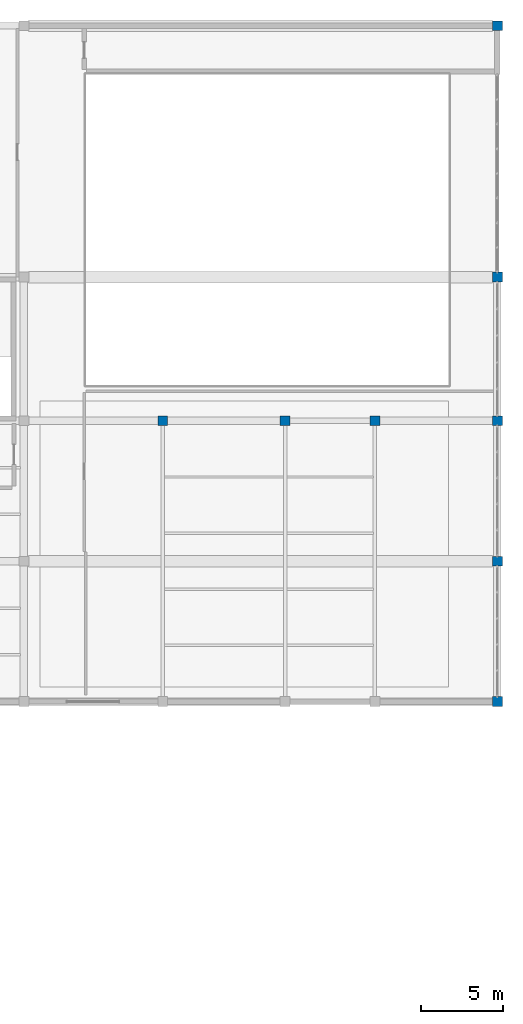
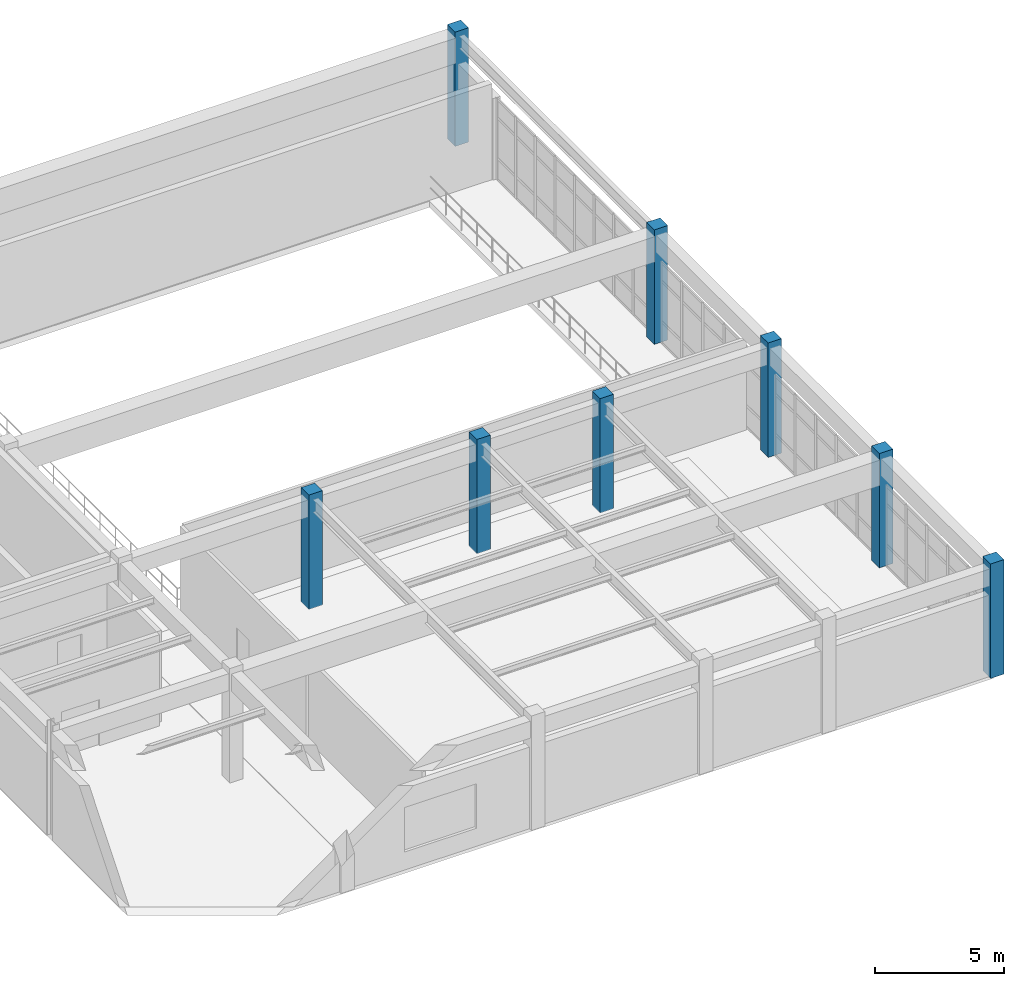
# One storey, part 7 of 38: 8 columns.
"""IFC4 building model written with IfcOpenShell, lengths in metres."""

from ifc_helpers import new_model, si_unit, direction, frame, origin, origin_2d, place, context, subcontext, project, spatial, rectangle, extrude, material, material_profile, profile_set, type_object, element, save


model = new_model("IFC4")

# Units and contexts
model_context = context("Model", 3, precision=1e-05, world=origin(), true_north=direction((0.0, 1.0)))
body_context = subcontext(model_context, "Body", "Model", "MODEL_VIEW")
ifc_project = project(units=[si_unit("LENGTHUNIT", "METRE"), si_unit("AREAUNIT", "SQUARE_METRE"), si_unit("VOLUMEUNIT", "CUBIC_METRE"), si_unit("PLANEANGLEUNIT", "RADIAN"), si_unit("MASSUNIT", "GRAM", prefix="KILO")], contexts=[model_context])

# Site, building, storey
site_placement = place(None, origin())
site = spatial("IfcSite", under=ifc_project, at=site_placement, CompositionType="ELEMENT")
building_placement = place(site_placement, origin())
building = spatial("IfcBuilding", under=site, at=building_placement, Name="Muzn Square Opera House", CompositionType="ELEMENT")
storey_placement = place(building_placement, frame((0.0, 0.0, 18.0)))
storey = spatial("IfcBuildingStorey", under=building, at=storey_placement, Name="L04", CompositionType="ELEMENT", Elevation=18.0)

# Columns
ifc_material = material(Name="Concrete C45/55", Category="concrete")
ifc_material_profile = material_profile(ifc_material, rectangle(XDim=0.60009765625, YDim=0.60009765625, at=origin_2d()), Name="RC 600x600", Category="concrete")
ifc_profile_set = profile_set([ifc_material_profile], Name="Concrete C45/55")
column_type = type_object("IfcColumnType", Name="Frame Column 600x600", PredefinedType="COLUMN", material=ifc_profile_set)
for number, where, z_axis, x_axis, name in (
    (1, (149.5, 89.800048828125, 0.0), (0.0, 0.0, 1.0), (1.0, 0.0, 0.0), "Column COL-L04-COL-600-1495_898"),
    (2, (157.0, 89.800048828125, 0.0), (0.0, 0.0, 1.0), (1.0, 0.0, 0.0), "Column COL-L04-COL-600-1570_898"),
    (3, (162.5, 89.800048828125, 0.0), (0.0, 0.0, 1.0), (1.0, 0.0, 0.0), "Column COL-L04-COL-600-1625_898"),
    (4, (170.0, 72.60009765625, 0.0), (0.0, 0.0, 1.0), (1.0, 0.0, 0.0), "Column COL-L04-COL-600-1700_726"),
    (5, (170.0, 81.199951171875, 0.0), (0.0, 0.0, 1.0), (1.0, 0.0, 0.0), "Column COL-L04-COL-600-1700_812"),
    (6, (170.0, 89.800048828125, 0.0), (0.0, 0.0, 1.0), (1.0, 0.0, 0.0), "Column COL-L04-COL-600-1700_898"),
    (7, (170.0, 98.60009765625, 0.0), (0.0, 0.0, 1.0), (1.0, 0.0, 0.0), "Column COL-L04-COL-600-1700_986"),
    (8, (170.0, 114.0, 0.0), (0.0, 0.0, 1.0), (1.0, 0.0, 0.0), "Column COL-N114-L04-018"),
):
    element("IfcColumn", number, at=place(storey_placement, frame(where, z_axis=z_axis, x_axis=x_axis)), inside=storey, type_object=column_type, Name=name, PredefinedType="COLUMN", context=body_context, shape_type="SweptSolid", body=[
        extrude(rectangle(XDim=0.60009765625, YDim=0.60009765625, at=origin_2d()), origin(), (0.0, 0.0, 1.0), 5.39990234375),
    ])

save(model, "model.ifc")
